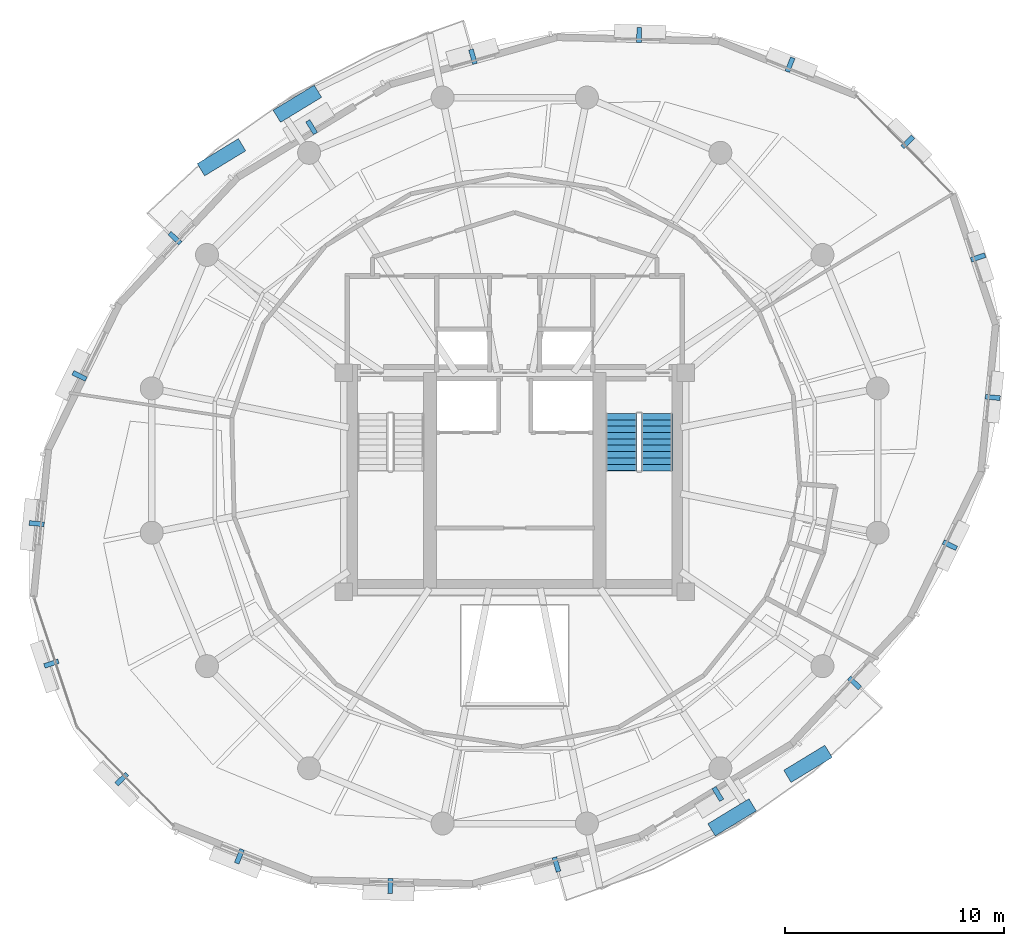
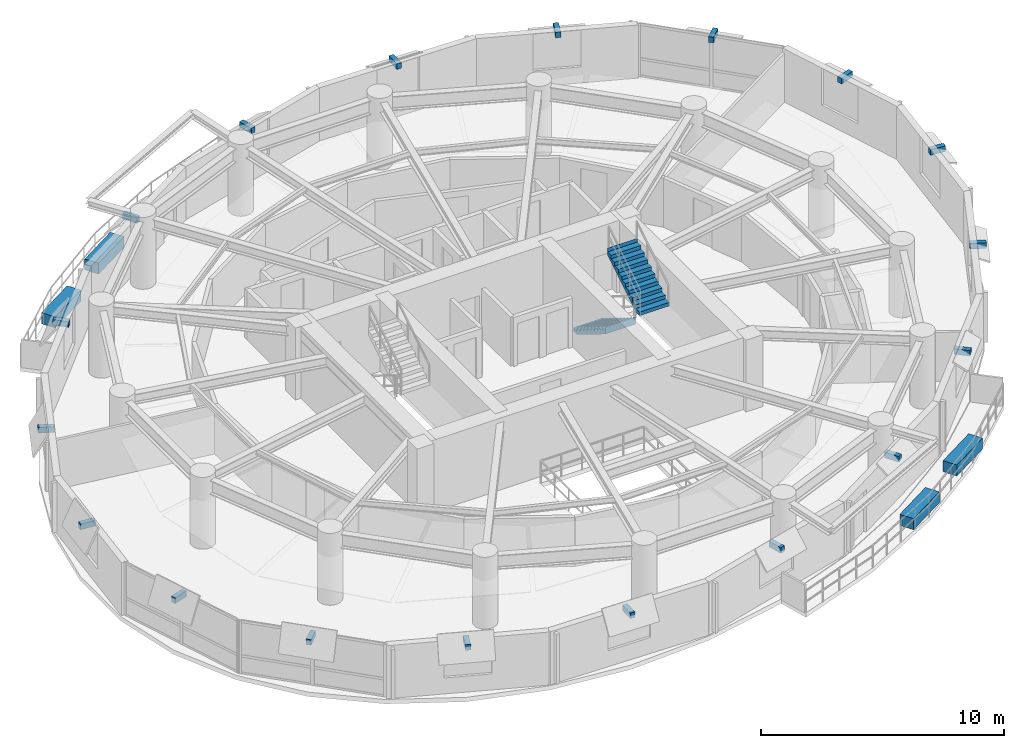
# One storey, part 12 of 15: 22 discrete accessories, 2 stair flights, 1 element without a shape of its own.
"""IFC4 building model written with IfcOpenShell, lengths in metres."""

from ifc_helpers import new_model, si_unit, direction, frame, origin, origin_2d, place, context, subcontext, project, spatial, polyline, rectangle, outline, extrude, material, type_object, element, aggregate, save


model = new_model("IFC4")

# Units and contexts
model_context = context("Model", 3, precision=1e-05, world=origin(), true_north=direction((0.0, 1.0)))
body_context = subcontext(model_context, "Body", "Model", "MODEL_VIEW")
ifc_project = project(units=[si_unit("LENGTHUNIT", "METRE"), si_unit("AREAUNIT", "SQUARE_METRE"), si_unit("VOLUMEUNIT", "CUBIC_METRE"), si_unit("PLANEANGLEUNIT", "RADIAN"), si_unit("MASSUNIT", "GRAM", prefix="KILO"), si_unit("THERMODYNAMICTEMPERATUREUNIT", "KELVIN"), si_unit("POWERUNIT", "WATT")], contexts=[model_context])

# Site, building, storey
site_placement = place(None, origin())
site = spatial("IfcSite", under=ifc_project, at=site_placement, CompositionType="ELEMENT")
building_placement = place(site_placement, origin())
building = spatial("IfcBuilding", under=site, at=building_placement, Name="Ocrelia Relay Tower", CompositionType="ELEMENT")
storey_placement = place(building_placement, frame((0.0, 0.0, 166.39990234375)))
storey = spatial("IfcBuildingStorey", under=building, at=storey_placement, Name="L39", CompositionType="ELEMENT", Elevation=166.39990234375)

# Stair, stair flights
ifc_material_1 = material(Name="Concrete C50/60", Category="concrete")
stair_type = type_object("IfcStairType", Name="ST-DL-1420-R180", PredefinedType="HALF_TURN_STAIR", material=ifc_material_1)
stair_placement = place(storey_placement, origin())
stair = element("IfcStair", 1, at=stair_placement, inside=storey, type_object=stair_type, Name="L39 East Core Exit Stair ST2", PredefinedType="HALF_TURN_STAIR")
stair_flight_type = type_object("IfcStairFlightType", Name="STF-DL-1420-R180", PredefinedType="STRAIGHT", material=ifc_material_1)
stair_flight_1_placement = place(storey_placement, frame((38.8701171875, 28.14990234375, 0.0), z_axis=(0.0, 0.0, 1.0), x_axis=(0.0, -1.0, 0.0)))
stair_flight_1 = element("IfcStairFlight", 2, at=stair_flight_1_placement, type_object=stair_flight_type, Name="ST2 flight 1", NumberOfRisers=10, NumberOfTreads=9, PredefinedType="STRAIGHT", RiserHeight=0.18, TreadLength=0.29, context=body_context, shape_type="SweptSolid", body=[
    extrude(outline(polyline([(-0.008056640625, 0.0), (-0.008056640625, 0.179931640625), (0.0, 0.179931640625), (0.2900390625, 0.179931640625), (0.2900390625, 0.360107421875), (0.580078125, 0.360107421875), (0.580078125, 0.5400390625), (0.8701171875, 0.5400390625), (0.8701171875, 0.719970703125), (1.159912109375, 0.719970703125), (1.159912109375, 0.89990234375), (1.449951171875, 0.89990234375), (1.449951171875, 1.080078125), (1.739990234375, 1.080078125), (1.739990234375, 1.260009765625), (2.030029296875, 1.260009765625), (2.030029296875, 1.43994140625), (2.320068359375, 1.43994140625), (2.320068359375, 1.6201171875), (2.610107421875, 1.6201171875), (2.610107421875, 1.800048828125), (2.617919921875, 1.800048828125), (2.617919921875, 1.443603515625), (0.2841796875, 0.0), (-0.008056640625, 0.0)])), frame((0.0, 0.7099609375, 0.0), z_axis=(0.0, -1.0, 0.0), x_axis=(1.0, 0.0, 0.0)), (0.0, 0.0, 1.0), 1.419921875),
])
stair_flight_2_placement = place(storey_placement, frame((40.489990234375, 25.5400390625, 1.800048828125), z_axis=(0.0, 0.0, 1.0), x_axis=(0.0, 1.0, 0.0)))
stair_flight_2 = element("IfcStairFlight", 3, at=stair_flight_2_placement, type_object=stair_flight_type, Name="ST2 flight 2", NumberOfRisers=10, NumberOfTreads=9, PredefinedType="STRAIGHT", RiserHeight=0.18, TreadLength=0.29, context=body_context, shape_type="SweptSolid", body=[
    extrude(outline(polyline([(-0.008056640625, 0.0), (-0.008056640625, 0.179931640625), (0.0, 0.179931640625), (0.2900390625, 0.179931640625), (0.2900390625, 0.360107421875), (0.580078125, 0.360107421875), (0.580078125, 0.5400390625), (0.8701171875, 0.5400390625), (0.8701171875, 0.719970703125), (1.159912109375, 0.719970703125), (1.159912109375, 0.89990234375), (1.449951171875, 0.89990234375), (1.449951171875, 1.080078125), (1.739990234375, 1.080078125), (1.739990234375, 1.260009765625), (2.030029296875, 1.260009765625), (2.030029296875, 1.43994140625), (2.320068359375, 1.43994140625), (2.320068359375, 1.6201171875), (2.610107421875, 1.6201171875), (2.610107421875, 1.800048828125), (2.617919921875, 1.800048828125), (2.617919921875, 1.443603515625), (0.2841796875, 0.0), (-0.008056640625, 0.0)])), frame((0.0, 0.7099609375, 0.0), z_axis=(0.0, -1.0, 0.0), x_axis=(1.0, 0.0, 0.0)), (0.0, 0.0, 1.0), 1.419921875),
])
aggregate(stair, [stair_flight_1, stair_flight_2])

# Discrete accessories
ifc_material_2 = material(Name="Precast concrete C40/50 planter with highland greenery", Category="concrete")
discrete_accessory_type_1 = type_object("IfcDiscreteAccessoryType", Name="ACC-BALC-PLANTER", PredefinedType="USERDEFINED", material=ifc_material_2)
for number, where, z_axis, x_axis, name in (
    (4, (24.07470703125, 42.292236328125, 0.0), (0.0, 0.0, 1.0), (0.854004241883, 0.520266042372, 0.0), "L39 Balcony Terracotta Planter with Greenery B1"),
    (5, (20.6103515625, 39.849365234375, 0.0), (0.0, 0.0, 1.0), (0.854004241883, 0.520266042372, 0.0), "L39 Balcony Terracotta Planter B1-2"),
    (6, (43.92529296875, 9.707763671875, 0.0), (0.0, 0.0, 1.0), (-0.854004241883, -0.520266042372, 0.0), "L39 Balcony Terracotta Planter with Greenery B2"),
    (7, (47.3896484375, 12.150634765625, 0.0), (0.0, 0.0, 1.0), (-0.854004241883, -0.520266042372, 0.0), "L39 Balcony Terracotta Planter B2-2"),
):
    element("IfcDiscreteAccessory", number, at=place(storey_placement, frame(where, z_axis=z_axis, x_axis=x_axis)), inside=storey, type_object=discrete_accessory_type_1, Name=name, ObjectType="PLANTER", PredefinedType="USERDEFINED", context=body_context, shape_type="SweptSolid", body=[
        extrude(rectangle(XDim=2.199951171875, YDim=0.64990234375, at=origin_2d()), origin(), (0.0, 0.0, 1.0), 0.550048828125),
    ])
ifc_material_3 = material(Name="Steel S355", Category="steel")
discrete_accessory_type_2 = type_object("IfcDiscreteAccessoryType", Name="ACC-VISOR-BRACKET", PredefinedType="BRACKET", material=ifc_material_3)
for number, where, z_axis, x_axis, name in (
    (8, (51.94384765625, 40.54736328125, 2.35986328125), (0.0, 0.0, 1.0), (-0.698789721576, 0.715327145451, 0.0), "L39 Visor Mounting Bracket 01"),
    (9, (46.572021484375, 44.074462890625, 2.35986328125), (0.0, 0.0, 1.0), (-0.929736094537, 0.368226553246, 0.0), "L39 Visor Mounting Bracket 02"),
    (10, (39.6806640625, 45.430908203125, 2.35986328125), (0.0, 0.0, 1.0), (-0.999724288476, 0.02348078005, 0.0), "L39 Visor Mounting Bracket 03"),
    (11, (32.09228515625, 44.446044921875, 2.35986328125), (0.0, 0.0, 1.0), (-0.962256921298, -0.272142641667, 0.0), "L39 Visor Mounting Bracket 04"),
    (12, (24.724609375, 41.225341796875, 2.35986328125), (0.0, 0.0, 1.0), (-0.85400341468, -0.520267400204, 0.0), "L39 Visor Mounting Bracket 05"),
    (13, (18.4833984375, 36.155517578125, 2.35986328125), (0.0, 0.0, 1.0), (-0.683168630663, -0.730260653519, 0.0), "L39 Visor Mounting Bracket 06"),
    (14, (14.1279296875, 29.864013671875, 2.35986328125), (0.0, 0.0, 1.0), (-0.437655374845, -0.899142798931, 0.0), "L39 Visor Mounting Bracket 07"),
    (15, (12.172607421875, 23.1181640625, 2.35986328125), (0.0, 0.0, 1.0), (-0.099214537496, -0.995066065922, 0.0), "L39 Visor Mounting Bracket 08"),
    (16, (12.843017578125, 16.726806640625, 2.35986328125), (0.0, 0.0, 1.0), (0.315148416844, -0.949042399138, 0.0), "L39 Visor Mounting Bracket 09"),
    (17, (16.05615234375, 11.45263671875, 2.35986328125), (0.0, 0.0, 1.0), (0.698789721576, -0.715327145451, 0.0), "L39 Visor Mounting Bracket 10"),
    (18, (21.427978515625, 7.925537109375, 2.35986328125), (0.0, 0.0, 1.0), (0.929736094537, -0.368226553246, 0.0), "L39 Visor Mounting Bracket 11"),
    (19, (28.3193359375, 6.569091796875, 2.35986328125), (0.0, 0.0, 1.0), (0.999724288476, -0.02348078005, 0.0), "L39 Visor Mounting Bracket 12"),
    (20, (35.90771484375, 7.553955078125, 2.35986328125), (0.0, 0.0, 1.0), (0.962256921298, 0.272142641667, 0.0), "L39 Visor Mounting Bracket 13"),
    (21, (43.275390625, 10.774658203125, 2.35986328125), (0.0, 0.0, 1.0), (0.85400341468, 0.520267400204, 0.0), "L39 Visor Mounting Bracket 14"),
    (22, (49.5166015625, 15.844482421875, 2.35986328125), (0.0, 0.0, 1.0), (0.683168630663, 0.730260653519, 0.0), "L39 Visor Mounting Bracket 15"),
    (23, (53.8720703125, 22.135986328125, 2.35986328125), (0.0, 0.0, 1.0), (0.437655374845, 0.899142798931, 0.0), "L39 Visor Mounting Bracket 16"),
    (24, (55.827392578125, 28.8818359375, 2.35986328125), (0.0, 0.0, 1.0), (0.099214537496, 0.995066065922, 0.0), "L39 Visor Mounting Bracket 17"),
    (25, (55.156982421875, 35.273193359375, 2.35986328125), (0.0, 0.0, 1.0), (-0.315148416844, 0.949042399138, 0.0), "L39 Visor Mounting Bracket 18"),
):
    element("IfcDiscreteAccessory", number, at=place(storey_placement, frame(where, z_axis=z_axis, x_axis=x_axis)), inside=storey, type_object=discrete_accessory_type_2, Name=name, PredefinedType="BRACKET", context=body_context, shape_type="SweptSolid", body=[
        extrude(rectangle(XDim=0.219970703125, YDim=0.679931640625, at=origin_2d()), origin(), (0.0, 0.0, 1.0), 0.280029296875),
    ])

save(model, "model.ifc")
